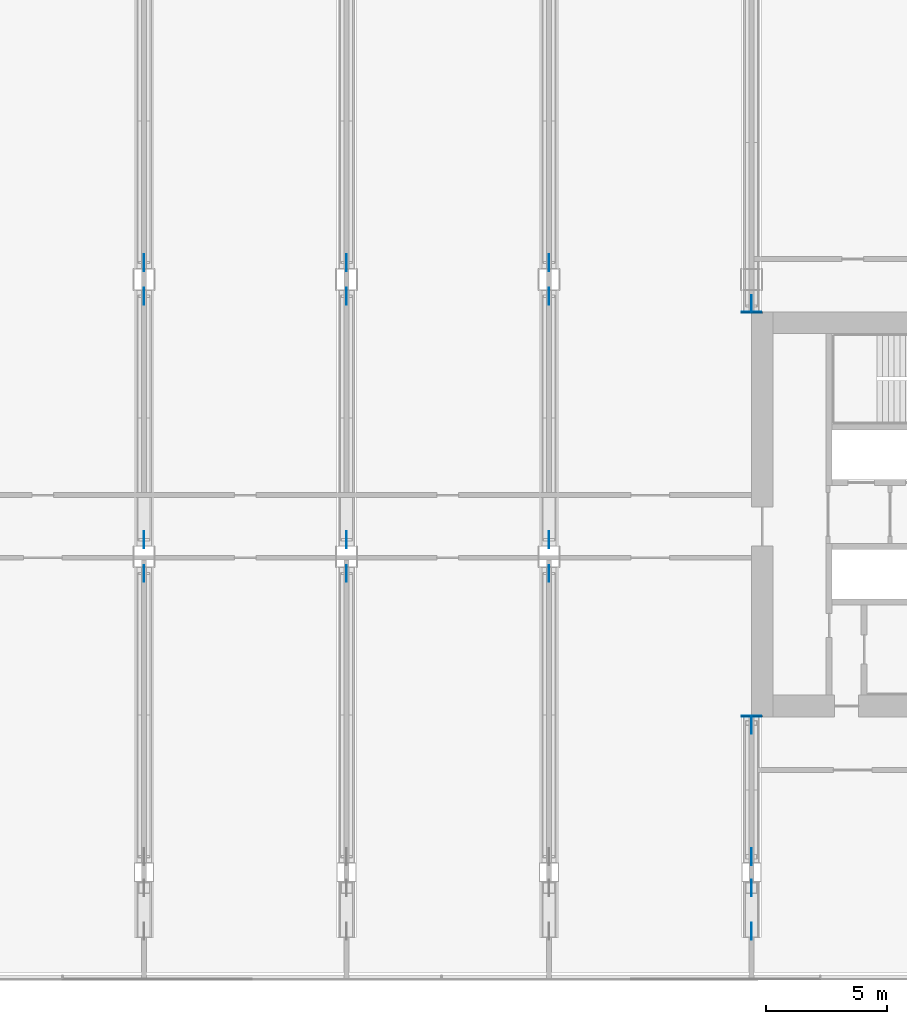
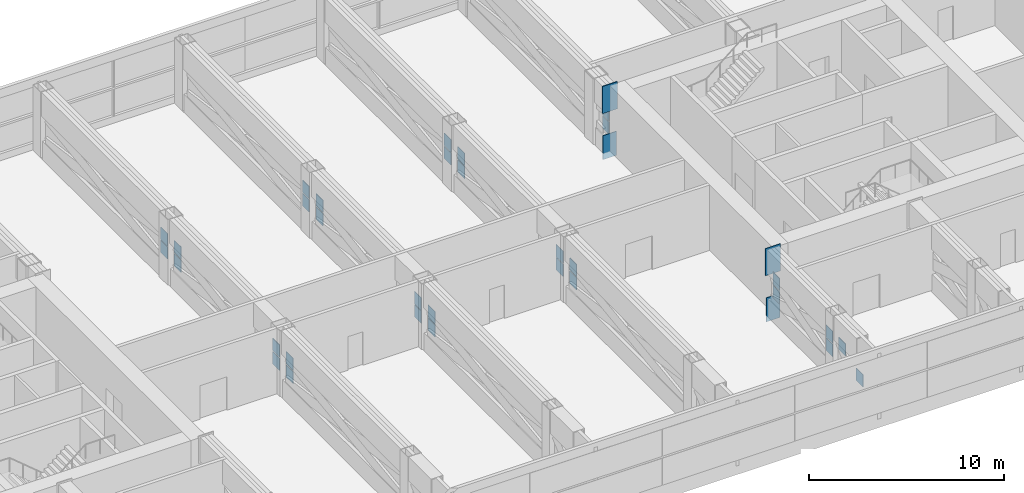
# One storey, part 23 of 31: 36 discrete accessories.
"""IFC4 building model written with IfcOpenShell, lengths in metres."""

import ifcopenshell
import ifcopenshell.guid

model = None  # the IFC model being written
_history = None  # IfcOwnerHistory: only IFC2X3 demands one
_inside = {}  # id of a spatial element -> (the spatial element, [elements in it])
_under = {}  # id of a project, library or spatial element -> (it, [spatial elements below it])
_declared = {}  # id of a project -> (the project, [libraries it declares])
_typed = {}  # id of a type object -> (the type object, [elements of that type])
_made_of = {}  # id of a material, layer set ... -> (it, [elements and type objects made of it])


def new_model(schema):
    """Start an empty IFC model of exactly this schema.

    Asked for "IFC4X3", IfcOpenShell would pick the latest addendum, in which some entities
    have other attributes; the version numbers below select the first issue.
    IFC2X3 requires an IfcOwnerHistory on every rooted entity: one is made here for all.
    """
    global model, _history
    if schema == "IFC4X3":
        model = ifcopenshell.file(schema_version=(4, 3, 0, 0))
    else:
        model = ifcopenshell.file(schema=schema)
    _inside.clear()
    _under.clear()
    _declared.clear()
    _typed.clear()
    _made_of.clear()
    _history = None
    if model.schema == "IFC2X3":
        org = make("IfcOrganization", Name="unknown")
        user = make(
            "IfcPersonAndOrganization",
            ThePerson=make("IfcPerson", FamilyName="unknown"),
            TheOrganization=org,
        )
        app = make(
            "IfcApplication",
            ApplicationDeveloper=org,
            Version="unknown",
            ApplicationFullName="unknown",
            ApplicationIdentifier="unknown",
        )
        _history = make(
            "IfcOwnerHistory",
            OwningUser=user,
            OwningApplication=app,
            ChangeAction="ADDED",
            CreationDate=0,
        )
    return model


def make(cls, **values):
    """One entity of the class cls with the attributes given. An attribute that is None is left unset."""
    return model.create_entity(
        cls, **{name: value for name, value in values.items() if value is not None}
    )


def rooted(cls, **values):
    """An entity with a GlobalId (a new one), such as an element, a storey or a relation."""
    return make(cls, GlobalId=ifcopenshell.guid.new(), OwnerHistory=_history, **values)


def si_unit(unit_type, name, prefix=None):
    """IfcSIUnit, for example si_unit("LENGTHUNIT", "METRE", prefix="MILLI")."""
    return make("IfcSIUnit", UnitType=unit_type, Prefix=prefix, Name=name)


def assignment(units):
    """IfcUnitAssignment: the units of a project."""
    return None if units is None else make("IfcUnitAssignment", Units=units)


def point(xyz):
    """IfcCartesianPoint."""
    return None if xyz is None else make("IfcCartesianPoint", Coordinates=xyz)


def direction(xyz):
    """IfcDirection."""
    return None if xyz is None else make("IfcDirection", DirectionRatios=xyz)


def frame(location, z_axis=None, x_axis=None):
    """IfcAxis2Placement3D, a coordinate frame: its origin and axes. An axis left out is left unset."""
    return make(
        "IfcAxis2Placement3D",
        Location=point(location),
        Axis=direction(z_axis),
        RefDirection=direction(x_axis),
    )


def frame_2d(location, x_axis=None):
    """IfcAxis2Placement2D, a coordinate frame in the plane: its origin and x axis."""
    return make(
        "IfcAxis2Placement2D", Location=point(location), RefDirection=direction(x_axis)
    )


def origin():
    """The frame at (0, 0, 0) with its axes left unset."""
    return frame((0.0, 0.0, 0.0))


def origin_2d():
    """The frame at (0, 0) in the plane with its x axis left unset."""
    return frame_2d((0.0, 0.0))


def place(relative_to, where):
    """IfcLocalPlacement: puts the frame where relative to a parent placement (None: the world)."""
    return make(
        "IfcLocalPlacement", PlacementRelTo=relative_to, RelativePlacement=where
    )


def context(
    kind, dimensions, precision=None, world=None, true_north=None, identifier=None
):
    """IfcGeometricRepresentationContext, for example the 3D "Model" context."""
    return make(
        "IfcGeometricRepresentationContext",
        ContextIdentifier=identifier,
        ContextType=kind,
        CoordinateSpaceDimension=dimensions,
        Precision=precision,
        WorldCoordinateSystem=world,
        TrueNorth=true_north,
    )


def subcontext(parent, identifier, kind, view, scale=None):
    """IfcGeometricRepresentationSubContext, for example "Body" below "Model"."""
    return make(
        "IfcGeometricRepresentationSubContext",
        ContextIdentifier=identifier,
        ContextType=kind,
        ParentContext=parent,
        TargetScale=scale,
        TargetView=view,
    )


def project(units=None, contexts=None):
    """IfcProject with its units and contexts."""
    return rooted(
        "IfcProject",
        Name="project",
        RepresentationContexts=contexts,
        UnitsInContext=assignment(units),
    )


def spatial(cls, under=None, at=None, **own):
    """A site, building, storey or space (cls), placed at a placement, below another one or the project."""
    s = rooted(cls, ObjectPlacement=at, **own)
    if under is not None:
        _under.setdefault(under.id(), (under, []))[1].append(s)
    return s


def profile(cls, at=None, kind="AREA", **sizes):
    """A parametric profile (cls). Its sizes go by their IFC names, for example OverallWidth=200.0."""
    return make(cls, ProfileType=kind, Position=at, **sizes)


def rectangle(**sizes):
    """IfcRectangleProfileDef."""
    return profile("IfcRectangleProfileDef", **sizes)


def extrude(swept, where, along, depth):
    """IfcExtrudedAreaSolid: the profile swept, set in the frame where, extruded along a direction by depth."""
    return make(
        "IfcExtrudedAreaSolid",
        SweptArea=swept,
        Position=where,
        ExtrudedDirection=direction(along),
        Depth=depth,
    )


def shape(context_of_items, identifier, shape_type, items):
    """IfcShapeRepresentation: the items that make up one representation, for example the "Body"."""
    return make(
        "IfcShapeRepresentation",
        ContextOfItems=context_of_items,
        RepresentationIdentifier=identifier,
        RepresentationType=shape_type,
        Items=items,
    )


def material(Name=None, Category=None):
    """IfcMaterial."""
    return make("IfcMaterial", Name=Name, Category=Category)


def material_profile(
    of_material, cross_section, Name=None, Category=None, Priority=None
):
    """IfcMaterialProfile: a cross section and its material."""
    return make(
        "IfcMaterialProfile",
        Name=Name,
        Material=of_material,
        Profile=cross_section,
        Priority=Priority,
        Category=Category,
    )


def profile_set(profiles, Name=None, composite=None):
    """IfcMaterialProfileSet."""
    return make(
        "IfcMaterialProfileSet",
        Name=Name,
        MaterialProfiles=profiles,
        CompositeProfile=composite,
    )


def made_of(thing, what):
    """Note that an element or type object is made of a material, layer set ...; save() writes the relation."""
    if what is not None:
        _made_of.setdefault(what.id(), (what, []))[1].append(thing)
    return thing


def type_object(cls, material=None, **own):
    """A type object (cls), such as IfcWallType, which elements share."""
    return made_of(rooted(cls, **own), material)


def element(
    cls,
    number,
    at=None,
    inside=None,
    cuts=None,
    type_object=None,
    material=None,
    context=None,
    identifier="Body",
    shape_type=None,
    held_by="IfcProductDefinitionShape",
    body=None,
    shapes=None,
    **own,
):
    """One element of the class cls, such as IfcWall. Its Tag is "e" and its number.

    at: its placement. inside: the storey or other place that contains it. cuts: it is an
    opening in that element (IfcRelVoidsElement). A single representation is given by context,
    identifier, shape_type and body (its items); several are given by shapes. held_by: the class
    of the entity that holds the representations. save() writes the other relations.
    """
    e = rooted(cls, Tag="e%d" % number, ObjectPlacement=at, **own)
    if body is not None:
        shapes = [shape(context, identifier, shape_type, body)]
    if shapes is not None:
        e.Representation = make(held_by, Representations=shapes)
    if inside is not None:
        _inside.setdefault(inside.id(), (inside, []))[1].append(e)
    if cuts is not None:
        rooted(
            "IfcRelVoidsElement", RelatingBuildingElement=cuts, RelatedOpeningElement=e
        )
    if type_object is not None:
        _typed.setdefault(type_object.id(), (type_object, []))[1].append(e)
    return made_of(e, material)


def aggregate(whole, parts):
    """IfcRelAggregates: a whole, such as a stair, and the parts it consists of."""
    return rooted("IfcRelAggregates", RelatingObject=whole, RelatedObjects=parts)


def save(model, path):
    """Write the relations noted so far, then the file.

    IfcRelAggregates (storeys below a building ...), IfcRelContainedInSpatialStructure (elements
    in a storey), IfcRelDefinesByType, IfcRelAssociatesMaterial and IfcRelDeclares: one each for
    every whole, place, type object, material and project.
    """
    for whole, parts in _under.values():
        aggregate(whole, parts)
    for where, things in _inside.values():
        rooted(
            "IfcRelContainedInSpatialStructure",
            RelatedElements=things,
            RelatingStructure=where,
        )
    for kind, things in _typed.values():
        rooted("IfcRelDefinesByType", RelatedObjects=things, RelatingType=kind)
    for what, things in _made_of.values():
        rooted("IfcRelAssociatesMaterial", RelatedObjects=things, RelatingMaterial=what)
    for by, libraries in _declared.values():
        rooted("IfcRelDeclares", RelatingContext=by, RelatedDefinitions=libraries)
    model.write(path)


model = new_model("IFC4")

# Units and contexts
model_context = context("Model", 3, precision=1e-05, world=origin(), true_north=direction((0.0, 1.0)))
body_context = subcontext(model_context, "Body", "Model", "MODEL_VIEW")
ifc_project = project(units=[si_unit("LENGTHUNIT", "METRE"), si_unit("AREAUNIT", "SQUARE_METRE"), si_unit("VOLUMEUNIT", "CUBIC_METRE"), si_unit("PLANEANGLEUNIT", "RADIAN"), si_unit("MASSUNIT", "GRAM", prefix="KILO")], contexts=[model_context])

# Site, building, storey
site_placement = place(None, origin())
site = spatial("IfcSite", under=ifc_project, at=site_placement, CompositionType="ELEMENT")
building_placement = place(site_placement, origin())
building = spatial("IfcBuilding", under=site, at=building_placement, Name="Hakoniwa Tower and Hamabe Station Hall", CompositionType="ELEMENT")
storey_placement = place(building_placement, frame((0.0, 0.0, 120.199951171875)))
storey = spatial("IfcBuildingStorey", under=building, at=storey_placement, Name="L34", CompositionType="ELEMENT", Elevation=120.199951171875)

# Discrete accessories
ifc_material_1 = material(Name="Steel SN490C", Category="steel")
ifc_material_profile_1 = material_profile(ifc_material_1, rectangle(XDim=0.800048828125, YDim=1.5, at=origin_2d()), Name="CAST-IN PLATE BX-1300x600x50")
ifc_profile_set_1 = profile_set([ifc_material_profile_1], Name="Steel SN490C")
discrete_accessory_type_1 = type_object("IfcDiscreteAccessoryType", Name="CAST-IN PLATE BX-1300x600x50", PredefinedType="ANCHORPLATE", material=ifc_profile_set_1)
for number, where, z_axis, x_axis, name in (
    (1, (16.800048828125, -8.360107421875, 0.35009765625), (0.0, -1.0, 0.0), (1.0, 0.0, 0.0), "Cast-in plate T2-14-BC01"),
    (2, (16.800048828125, 8.360107421875, 0.35009765625), (0.0, 1.0, 0.0), (-1.0, 0.0, 0.0), "Cast-in plate T2-15-BC01"),
):
    element("IfcDiscreteAccessory", number, at=place(storey_placement, frame(where, z_axis=z_axis, x_axis=x_axis)), inside=storey, type_object=discrete_accessory_type_1, Name=name, PredefinedType="ANCHORPLATE", context=body_context, shape_type="SweptSolid", body=[
        extrude(rectangle(XDim=0.800048828125, YDim=1.5, at=origin_2d()), origin(), (0.0, 0.0, 1.0), 0.039794921875),
    ])
ifc_material_2 = material(Name="Steel SN490C", Category="steel")
ifc_material_profile_2 = material_profile(ifc_material_2, rectangle(XDim=0.89990234375, YDim=1.699951171875, at=origin_2d()), Name="CAST-IN PLATE BX-1500x700x55")
ifc_profile_set_2 = profile_set([ifc_material_profile_2], Name="Steel SN490C")
discrete_accessory_type_2 = type_object("IfcDiscreteAccessoryType", Name="CAST-IN PLATE BX-1500x700x55", PredefinedType="ANCHORPLATE", material=ifc_profile_set_2)
for number, where, z_axis, x_axis, name in (
    (3, (16.800048828125, -8.35498046875, 3.35009765625), (0.0, -1.0, 0.0), (1.0, 0.0, 0.0), "Cast-in plate T2-14-TC01"),
    (4, (16.800048828125, 8.35498046875, 3.35009765625), (0.0, 1.0, 0.0), (-1.0, 0.0, 0.0), "Cast-in plate T2-15-TC01"),
):
    element("IfcDiscreteAccessory", number, at=place(storey_placement, frame(where, z_axis=z_axis, x_axis=x_axis)), inside=storey, type_object=discrete_accessory_type_2, Name=name, PredefinedType="ANCHORPLATE", context=body_context, shape_type="SweptSolid", body=[
        extrude(rectangle(XDim=0.89990234375, YDim=1.699951171875, at=origin_2d()), origin(), (0.0, 0.0, 1.0), 0.044921875),
    ])
ifc_material_3 = material(Name="Steel SN490C", Category="steel")
ifc_material_profile_3 = material_profile(ifc_material_3, rectangle(XDim=0.699951171875, YDim=0.77001953125, at=origin_2d()), Name="GUSSET PLATE BX-700x500x32")
ifc_profile_set_3 = profile_set([ifc_material_profile_3], Name="Steel SN490C")
discrete_accessory_type_3 = type_object("IfcDiscreteAccessoryType", Name="GUSSET PLATE BX-700x500x32", PredefinedType="USERDEFINED", material=ifc_profile_set_3)
for number, where, z_axis, x_axis, name in (
    (5, (-8.385009765625, -2.449951171875, 2.215087890625), (-1.0, 0.0, 0.0), (0.0, -1.0, 0.0), "Gusset plate T2-011-D01A"),
    (6, (-8.385009765625, -2.449951171875, 1.385009765625), (-1.0, 0.0, 0.0), (0.0, -1.0, 0.0), "Gusset plate T2-011-D01B"),
    (7, (-8.385009765625, -1.050048828125, 1.385009765625), (-1.0, 0.0, 0.0), (0.0, -1.0, 0.0), "Gusset plate T2-011-D02A"),
    (8, (-8.385009765625, 9.050048828125, 2.215087890625), (-1.0, 0.0, 0.0), (0.0, -1.0, 0.0), "Gusset plate T2-011-D02A"),
    (9, (-8.385009765625, -1.050048828125, 2.215087890625), (-1.0, 0.0, 0.0), (0.0, -1.0, 0.0), "Gusset plate T2-011-D02B"),
    (10, (-8.385009765625, 9.050048828125, 1.385009765625), (-1.0, 0.0, 0.0), (0.0, -1.0, 0.0), "Gusset plate T2-011-D02B"),
    (11, (-8.385009765625, 10.449951171875, 1.385009765625), (-1.0, 0.0, 0.0), (0.0, -1.0, 0.0), "Gusset plate T2-011-D03A"),
    (12, (-8.385009765625, 10.449951171875, 2.215087890625), (-1.0, 0.0, 0.0), (0.0, -1.0, 0.0), "Gusset plate T2-011-D03B"),
):
    element("IfcDiscreteAccessory", number, at=place(storey_placement, frame(where, z_axis=z_axis, x_axis=x_axis)), inside=storey, type_object=discrete_accessory_type_3, Name=name, ObjectType="GUSSET PLATE", PredefinedType="USERDEFINED", context=body_context, shape_type="SweptSolid", body=[
        extrude(rectangle(XDim=0.699951171875, YDim=0.77001953125, at=origin_2d()), origin(), (0.0, 0.0, 1.0), 0.030029296875),
    ])
for number, where, z_axis, x_axis, name in (
    (13, (0.014892578125, -2.449951171875, 2.215087890625), (-1.0, 0.0, 0.0), (0.0, -1.0, 0.0), "Gusset plate T2-012-D01A"),
    (14, (0.014892578125, -2.449951171875, 1.385009765625), (-1.0, 0.0, 0.0), (0.0, -1.0, 0.0), "Gusset plate T2-012-D01B"),
    (15, (0.014892578125, -1.050048828125, 1.385009765625), (-1.0, 0.0, 0.0), (0.0, -1.0, 0.0), "Gusset plate T2-012-D02A"),
    (16, (0.014892578125, 9.050048828125, 2.215087890625), (-1.0, 0.0, 0.0), (0.0, -1.0, 0.0), "Gusset plate T2-012-D02A"),
    (17, (0.014892578125, -1.050048828125, 2.215087890625), (-1.0, 0.0, 0.0), (0.0, -1.0, 0.0), "Gusset plate T2-012-D02B"),
    (18, (0.014892578125, 9.050048828125, 1.385009765625), (-1.0, 0.0, 0.0), (0.0, -1.0, 0.0), "Gusset plate T2-012-D02B"),
    (19, (0.014892578125, 10.449951171875, 1.385009765625), (-1.0, 0.0, 0.0), (0.0, -1.0, 0.0), "Gusset plate T2-012-D03A"),
    (20, (0.014892578125, 10.449951171875, 2.215087890625), (-1.0, 0.0, 0.0), (0.0, -1.0, 0.0), "Gusset plate T2-012-D03B"),
):
    element("IfcDiscreteAccessory", number, at=place(storey_placement, frame(where, z_axis=z_axis, x_axis=x_axis)), inside=storey, type_object=discrete_accessory_type_3, Name=name, ObjectType="GUSSET PLATE", PredefinedType="USERDEFINED", context=body_context, shape_type="SweptSolid", body=[
        extrude(rectangle(XDim=0.699951171875, YDim=0.77001953125, at=origin_2d()), origin(), (0.0, 0.0, 1.0), 0.02978515625),
    ])
for number, where, z_axis, x_axis, name in (
    (21, (8.4150390625, -2.449951171875, 2.215087890625), (-1.0, 0.0, 0.0), (0.0, -1.0, 0.0), "Gusset plate T2-013-D01A"),
    (22, (8.4150390625, -2.449951171875, 1.385009765625), (-1.0, 0.0, 0.0), (0.0, -1.0, 0.0), "Gusset plate T2-013-D01B"),
    (23, (8.4150390625, -1.050048828125, 1.385009765625), (-1.0, 0.0, 0.0), (0.0, -1.0, 0.0), "Gusset plate T2-013-D02A"),
    (24, (8.4150390625, 9.050048828125, 2.215087890625), (-1.0, 0.0, 0.0), (0.0, -1.0, 0.0), "Gusset plate T2-013-D02A"),
    (25, (8.4150390625, -1.050048828125, 2.215087890625), (-1.0, 0.0, 0.0), (0.0, -1.0, 0.0), "Gusset plate T2-013-D02B"),
    (26, (8.4150390625, 9.050048828125, 1.385009765625), (-1.0, 0.0, 0.0), (0.0, -1.0, 0.0), "Gusset plate T2-013-D02B"),
    (27, (8.4150390625, 10.449951171875, 1.385009765625), (-1.0, 0.0, 0.0), (0.0, -1.0, 0.0), "Gusset plate T2-013-D03A"),
    (28, (8.4150390625, 10.449951171875, 2.215087890625), (-1.0, 0.0, 0.0), (0.0, -1.0, 0.0), "Gusset plate T2-013-D03B"),
    (29, (16.81494140625, -14.199951171875, 1.385009765625), (-1.0, 0.0, 0.0), (0.0, -1.0, 0.0), "Gusset plate T2-014-D01A"),
    (30, (16.81494140625, -8.75, 2.215087890625), (-1.0, 0.0, 0.0), (0.0, -1.0, 0.0), "Gusset plate T2-014-D01A"),
    (31, (16.81494140625, -14.199951171875, 2.215087890625), (-1.0, 0.0, 0.0), (0.0, -1.0, 0.0), "Gusset plate T2-014-D01B"),
    (32, (16.81494140625, -8.75, 1.385009765625), (-1.0, 0.0, 0.0), (0.0, -1.0, 0.0), "Gusset plate T2-014-D01B"),
    (33, (16.81494140625, -17.300048828125, 1.385009765625), (-1.0, 0.0, 0.0), (0.0, -1.0, 0.0), "Gusset plate T2-014-DLA"),
    (34, (16.81494140625, -15.5, 2.215087890625), (-1.0, 0.0, 0.0), (0.0, -1.0, 0.0), "Gusset plate T2-014-DLA"),
    (35, (16.81494140625, 8.75, 1.385009765625), (-1.0, 0.0, 0.0), (0.0, -1.0, 0.0), "Gusset plate T2-015-D01A"),
    (36, (16.81494140625, 8.75, 2.215087890625), (-1.0, 0.0, 0.0), (0.0, -1.0, 0.0), "Gusset plate T2-015-D01B"),
):
    element("IfcDiscreteAccessory", number, at=place(storey_placement, frame(where, z_axis=z_axis, x_axis=x_axis)), inside=storey, type_object=discrete_accessory_type_3, Name=name, ObjectType="GUSSET PLATE", PredefinedType="USERDEFINED", context=body_context, shape_type="SweptSolid", body=[
        extrude(rectangle(XDim=0.699951171875, YDim=0.77001953125, at=origin_2d()), origin(), (0.0, 0.0, 1.0), 0.030029296875),
    ])

save(model, "model.ifc")
